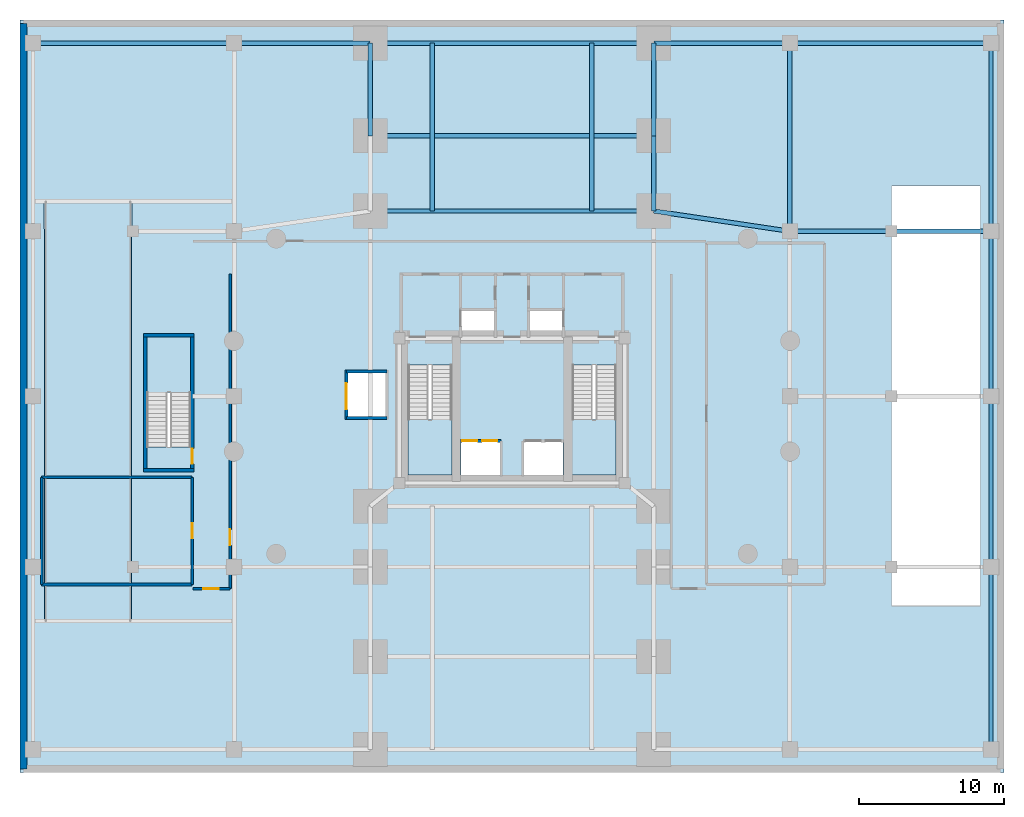
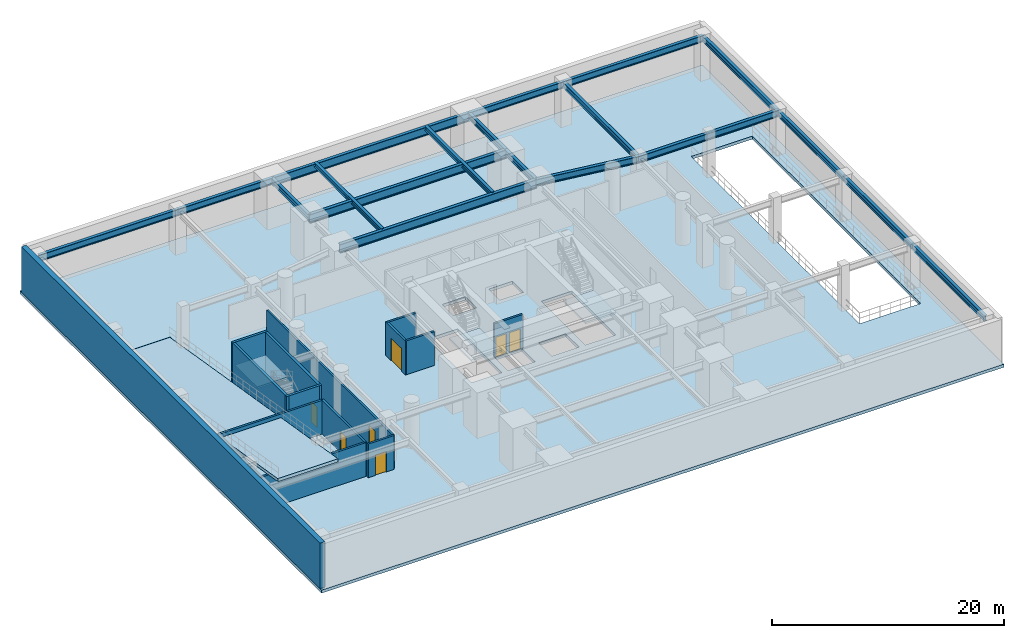
# One storey, part 2 of 7: 19 beams, 15 walls, 7 doors, 5 slabs, 7 openings, 3 elements without a shape of their own.
"""IFC4 building model written with IfcOpenShell, lengths in metres."""

from ifc_helpers import new_model, si_unit, direction, frame, frame_2d, origin, origin_2d, place, context, subcontext, project, spatial, polyline, rectangle, i_section, outline, extrude, material, layer, layer_set, material_profile, profile_set, type_object, element, fill, aggregate, save


model = new_model("IFC4")

# Units and contexts
model_context = context("Model", 3, precision=1e-05, world=origin(), true_north=direction((0.0, 1.0)))
body_context = subcontext(model_context, "Body", "Model", "MODEL_VIEW")
ifc_project = project(units=[si_unit("LENGTHUNIT", "METRE"), si_unit("AREAUNIT", "SQUARE_METRE"), si_unit("VOLUMEUNIT", "CUBIC_METRE"), si_unit("PLANEANGLEUNIT", "RADIAN"), si_unit("MASSUNIT", "GRAM", prefix="KILO"), si_unit("THERMODYNAMICTEMPERATUREUNIT", "KELVIN"), si_unit("POWERUNIT", "WATT")], contexts=[model_context])

# Site, building, storey
site_placement = place(None, origin())
site = spatial("IfcSite", under=ifc_project, at=site_placement, CompositionType="ELEMENT")
building_placement = place(site_placement, origin())
building = spatial("IfcBuilding", under=site, at=building_placement, Name="Ocrelia Relay Tower", CompositionType="ELEMENT")
storey_placement = place(building_placement, frame((0.0, 0.0, -4.800048828125)))
storey = spatial("IfcBuildingStorey", under=building, at=storey_placement, Name="B1", CompositionType="ELEMENT", Elevation=-4.800048828125)

# Beams
ifc_material_1 = material(Name="Steel S355", Category="steel")
ifc_material_profile_1 = material_profile(ifc_material_1, i_section(OverallWidth=0.300048828125, OverallDepth=0.5, WebThickness=0.014404296875, FlangeThickness=0.028076171875, FilletRadius=0.027099609375, at=origin_2d()), Name="HEB 500")
ifc_profile_set_1 = profile_set([ifc_material_profile_1], Name="Steel S355")
beam_type_1 = type_object("IfcBeamType", Name="BM-HEB500", PredefinedType="BEAM", material=ifc_profile_set_1)
for number, where, z_axis, x_axis, name in (
    (1, (28.5, 38.800048828125, 4.35009765625), (0.0, 1.0, 0.0), (-1.0, 0.0, 0.0), "B1 Portal Passage Paving Stringer NW"),
    (2, (39.5, 38.800048828125, 4.35009765625), (0.0, 1.0, 0.0), (-1.0, 0.0, 0.0), "B1 Portal Passage Paving Stringer NE"),
):
    element("IfcBeam", number, at=place(storey_placement, frame(where, z_axis=z_axis, x_axis=x_axis)), inside=storey, type_object=beam_type_1, Name=name, PredefinedType="BEAM", context=body_context, shape_type="SweptSolid", body=[
        extrude(i_section(OverallWidth=0.300048828125, OverallDepth=0.5, WebThickness=0.014404296875, FlangeThickness=0.028076171875, FilletRadius=0.027099609375, at=origin_2d()), origin(), (0.0, 0.0, 1.0), 11.599853515625),
    ])
ifc_material_profile_2 = material_profile(ifc_material_1, i_section(OverallWidth=0.300048828125, OverallDepth=0.60009765625, WebThickness=0.015380859375, FlangeThickness=0.030029296875, FilletRadius=0.027099609375, at=origin_2d()), Name="HEB 600")
ifc_profile_set_2 = profile_set([ifc_material_profile_2], Name="Steel S355")
beam_type_2 = type_object("IfcBeamType", Name="BM-HEB600", PredefinedType="BEAM", material=ifc_profile_set_2)
beam_1_placement = place(storey_placement, frame((53.199951171875, 37.39990234375, 4.179931640625), z_axis=(0.0, 1.0, 0.0), x_axis=(-1.0, 0.0, 0.0)))
element("IfcBeam", 3, at=beam_1_placement, inside=storey, type_object=beam_type_2, Name="B1 Podium Span Girder IE-4", PredefinedType="BEAM", context=body_context, shape_type="SweptSolid", body=[
    extrude(i_section(OverallWidth=0.300048828125, OverallDepth=0.60009765625, WebThickness=0.015380859375, FlangeThickness=0.030029296875, FilletRadius=0.027099609375, at=origin_2d()), origin(), (0.0, 0.0, 1.0), 13.0),
])
beam_2_placement = place(storey_placement, frame((67.10009765625, 1.60009765625, 4.179931640625), z_axis=(0.0, 1.0, 0.0), x_axis=(-1.0, 0.0, 0.0)))
element("IfcBeam", 4, at=beam_2_placement, inside=storey, type_object=beam_type_2, Name="B1 Podium Span Girder E-1", PredefinedType="BEAM", context=body_context, shape_type="SweptSolid", body=[
    extrude(i_section(OverallWidth=0.300048828125, OverallDepth=0.60009765625, WebThickness=0.015380859375, FlangeThickness=0.030029296875, FilletRadius=0.027099609375, at=origin_2d()), origin(), (0.0, 0.0, 1.0), 12.599853515625),
])
beam_3_placement = place(storey_placement, frame((67.10009765625, 14.199951171875, 4.179931640625), z_axis=(0.0, 1.0, 0.0), x_axis=(-1.0, 0.0, 0.0)))
element("IfcBeam", 5, at=beam_3_placement, inside=storey, type_object=beam_type_2, Name="B1 Podium Span Girder E-2", PredefinedType="BEAM", context=body_context, shape_type="SweptSolid", body=[
    extrude(i_section(OverallWidth=0.300048828125, OverallDepth=0.60009765625, WebThickness=0.015380859375, FlangeThickness=0.030029296875, FilletRadius=0.027099609375, at=origin_2d()), origin(), (0.0, 0.0, 1.0), 11.800048828125),
])
beam_4_placement = place(storey_placement, frame((67.10009765625, 26.0, 4.179931640625), z_axis=(0.0, 1.0, 0.0), x_axis=(-1.0, 0.0, 0.0)))
element("IfcBeam", 6, at=beam_4_placement, inside=storey, type_object=beam_type_2, Name="B1 Podium Span Girder E-3", PredefinedType="BEAM", context=body_context, shape_type="SweptSolid", body=[
    extrude(i_section(OverallWidth=0.300048828125, OverallDepth=0.60009765625, WebThickness=0.015380859375, FlangeThickness=0.030029296875, FilletRadius=0.027099609375, at=origin_2d()), origin(), (0.0, 0.0, 1.0), 11.39990234375),
])
beam_5_placement = place(storey_placement, frame((67.10009765625, 37.39990234375, 4.179931640625), z_axis=(0.0, 1.0, 0.0), x_axis=(-1.0, 0.0, 0.0)))
element("IfcBeam", 7, at=beam_5_placement, inside=storey, type_object=beam_type_2, Name="B1 Podium Span Girder E-4", PredefinedType="BEAM", context=body_context, shape_type="SweptSolid", body=[
    extrude(i_section(OverallWidth=0.300048828125, OverallDepth=0.60009765625, WebThickness=0.015380859375, FlangeThickness=0.030029296875, FilletRadius=0.027099609375, at=origin_2d()), origin(), (0.0, 0.0, 1.0), 13.0),
])
beam_6_placement = place(storey_placement, frame((24.199951171875, 44.0, 4.179931640625), z_axis=(0.0, 1.0, 0.0), x_axis=(-1.0, 0.0, 0.0)))
element("IfcBeam", 8, at=beam_6_placement, inside=storey, type_object=beam_type_2, Name="B1 Pier Line Tie Girder AW-5", PredefinedType="BEAM", context=body_context, shape_type="SweptSolid", body=[
    extrude(i_section(OverallWidth=0.300048828125, OverallDepth=0.60009765625, WebThickness=0.015380859375, FlangeThickness=0.030029296875, FilletRadius=0.027099609375, at=origin_2d()), origin(), (0.0, 0.0, 1.0), 6.39990234375),
])
beam_7_placement = place(storey_placement, frame((43.800048828125, 38.800048828125, 4.179931640625), z_axis=(0.0, 1.0, 0.0), x_axis=(-1.0, 0.0, 0.0)))
element("IfcBeam", 9, at=beam_7_placement, inside=storey, type_object=beam_type_2, Name="B1 Pier Line Tie Girder AE-4", PredefinedType="BEAM", context=body_context, shape_type="SweptSolid", body=[
    extrude(i_section(OverallWidth=0.300048828125, OverallDepth=0.60009765625, WebThickness=0.015380859375, FlangeThickness=0.030029296875, FilletRadius=0.027099609375, at=origin_2d()), origin(), (0.0, 0.0, 1.0), 5.199951171875),
])
beam_8_placement = place(storey_placement, frame((43.800048828125, 44.0, 4.179931640625), z_axis=(0.0, 1.0, 0.0), x_axis=(-1.0, 0.0, 0.0)))
element("IfcBeam", 10, at=beam_8_placement, inside=storey, type_object=beam_type_2, Name="B1 Pier Line Tie Girder AE-5", PredefinedType="BEAM", context=body_context, shape_type="SweptSolid", body=[
    extrude(i_section(OverallWidth=0.300048828125, OverallDepth=0.60009765625, WebThickness=0.015380859375, FlangeThickness=0.030029296875, FilletRadius=0.027099609375, at=origin_2d()), origin(), (0.0, 0.0, 1.0), 6.39990234375),
])
ifc_material_profile_3 = material_profile(ifc_material_1, i_section(OverallWidth=0.300048828125, OverallDepth=0.699951171875, WebThickness=0.01708984375, FlangeThickness=0.031982421875, FilletRadius=0.027099609375, at=origin_2d()), Name="HEB 700")
ifc_profile_set_3 = profile_set([ifc_material_profile_3], Name="Steel S355")
beam_type_3 = type_object("IfcBeamType", Name="BM-HEB700", PredefinedType="BEAM", material=ifc_profile_set_3)
beam_9_placement = place(storey_placement, frame((43.800048828125, 38.800048828125, 4.130126953125), z_axis=(0.989087708935, -0.14732787935, 0.0), x_axis=(0.14732787935, 0.989087708935, 0.0)))
element("IfcBeam", 11, at=beam_9_placement, inside=storey, type_object=beam_type_3, Name="B1 East Inner Podium Girder M2", PredefinedType="BEAM", context=body_context, shape_type="SweptSolid", body=[
    extrude(i_section(OverallWidth=0.300048828125, OverallDepth=0.699951171875, WebThickness=0.01708984375, FlangeThickness=0.031982421875, FilletRadius=0.027099609375, at=origin_2d()), origin(), (0.0, 0.0, 1.0), 9.503662109375),
])
for number, where, z_axis, x_axis, name in (
    (12, (53.199951171875, 37.39990234375, 4.130126953125), (1.0, 0.0, 0.0), (0.0, 1.0, 0.0), "B1 East Outer Podium Girder M2"),
    (13, (0.89990234375, 50.39990234375, 4.130126953125), (1.0, 0.0, 0.0), (0.0, 1.0, 0.0), "B1 West Outer Podium Girder N"),
):
    element("IfcBeam", number, at=place(storey_placement, frame(where, z_axis=z_axis, x_axis=x_axis)), inside=storey, type_object=beam_type_3, Name=name, PredefinedType="BEAM", context=body_context, shape_type="SweptSolid", body=[
        extrude(i_section(OverallWidth=0.300048828125, OverallDepth=0.699951171875, WebThickness=0.01708984375, FlangeThickness=0.031982421875, FilletRadius=0.027099609375, at=origin_2d()), origin(), (0.0, 0.0, 1.0), 13.900146484375),
    ])
for number, where, z_axis, x_axis, name in (
    (14, (14.800048828125, 50.39990234375, 4.130126953125), (1.0, 0.0, 0.0), (0.0, 1.0, 0.0), "B1 West Inner Podium Girder N"),
    (15, (43.800048828125, 50.39990234375, 4.130126953125), (1.0, 0.0, 0.0), (0.0, 1.0, 0.0), "B1 East Inner Podium Girder N"),
):
    element("IfcBeam", number, at=place(storey_placement, frame(where, z_axis=z_axis, x_axis=x_axis)), inside=storey, type_object=beam_type_3, Name=name, PredefinedType="BEAM", context=body_context, shape_type="SweptSolid", body=[
        extrude(i_section(OverallWidth=0.300048828125, OverallDepth=0.699951171875, WebThickness=0.01708984375, FlangeThickness=0.031982421875, FilletRadius=0.027099609375, at=origin_2d()), origin(), (0.0, 0.0, 1.0), 9.39990234375),
    ])
beam_10_placement = place(storey_placement, frame((53.199951171875, 50.39990234375, 4.130126953125), z_axis=(1.0, 0.0, 0.0), x_axis=(0.0, 1.0, 0.0)))
element("IfcBeam", 16, at=beam_10_placement, inside=storey, type_object=beam_type_3, Name="B1 East Outer Podium Girder N", PredefinedType="BEAM", context=body_context, shape_type="SweptSolid", body=[
    extrude(i_section(OverallWidth=0.300048828125, OverallDepth=0.699951171875, WebThickness=0.01708984375, FlangeThickness=0.031982421875, FilletRadius=0.027099609375, at=origin_2d()), origin(), (0.0, 0.0, 1.0), 13.900146484375),
])
ifc_material_profile_4 = material_profile(ifc_material_1, i_section(OverallWidth=0.300048828125, OverallDepth=0.89990234375, WebThickness=0.0185546875, FlangeThickness=0.034912109375, FilletRadius=0.030029296875, at=origin_2d()), Name="HEB 900")
ifc_profile_set_4 = profile_set([ifc_material_profile_4], Name="Steel S355")
beam_type_4 = type_object("IfcBeamType", Name="BM-HEB900", PredefinedType="BEAM", material=ifc_profile_set_4)
for number, where, z_axis, x_axis, name in (
    (17, (24.199951171875, 38.800048828125, 4.030029296875), (1.0, 0.0, 0.0), (0.0, 1.0, 0.0), "B1 Portal Arch Span Transfer Girder G5"),
    (18, (24.199951171875, 44.0, 4.030029296875), (1.0, 0.0, 0.0), (0.0, 1.0, 0.0), "B1 Portal Arch Span Transfer Girder G6"),
    (19, (24.199951171875, 50.39990234375, 4.030029296875), (1.0, 0.0, 0.0), (0.0, 1.0, 0.0), "B1 Portal Arch Span Transfer Girder G7"),
):
    element("IfcBeam", number, at=place(storey_placement, frame(where, z_axis=z_axis, x_axis=x_axis)), inside=storey, type_object=beam_type_4, Name=name, PredefinedType="BEAM", context=body_context, shape_type="SweptSolid", body=[
        extrude(i_section(OverallWidth=0.300048828125, OverallDepth=0.89990234375, WebThickness=0.0185546875, FlangeThickness=0.034912109375, FilletRadius=0.030029296875, at=origin_2d()), origin(), (0.0, 0.0, 1.0), 19.60009765625),
    ])

# Slab
ifc_material_2 = material(Name="Concrete C50/60", Category="concrete")
ifc_layer_1 = layer(ifc_material_2, 0.320068359375, Name="Concrete C50/60")
ifc_layer_set_1 = layer_set([ifc_layer_1], Name="Concrete C50/60")
slab_type_1 = type_object("IfcSlabType", Name="SL-FLR-320", PredefinedType="FLOOR", material=ifc_layer_set_1)
slab_1_placement = place(storey_placement, frame((0.0, 0.0, -0.320068359375)))
element("IfcSlab", 20, at=slab_1_placement, inside=storey, type_object=slab_type_1, Name="B1 Podium Structural Slab", PredefinedType="FLOOR", context=body_context, shape_type="SweptSolid", body=[
    extrude(outline(polyline([(0.0, 0.0), (68.0, 0.0), (68.0, 52.0), (0.0, 52.0), (0.0, 0.0)]), holes=[polyline([(26.81005859375, 28.14990234375), (26.81005859375, 20.550048828125), (29.85009765625, 20.550048828125), (29.85009765625, 28.14990234375), (26.81005859375, 28.14990234375)]), polyline([(38.159912109375, 28.14990234375), (38.159912109375, 20.550048828125), (41.199951171875, 20.550048828125), (41.199951171875, 28.14990234375), (38.159912109375, 28.14990234375)]), polyline([(11.800048828125, 22.5), (11.800048828125, 30.10009765625), (8.760009765625, 30.10009765625), (8.760009765625, 22.5), (11.800048828125, 22.5)]), polyline([(30.4599609375, 20.550048828125), (33.159912109375, 20.550048828125), (33.159912109375, 22.85009765625), (30.4599609375, 22.85009765625), (30.4599609375, 20.550048828125)]), polyline([(34.840087890625, 20.550048828125), (37.5400390625, 20.550048828125), (37.5400390625, 22.85009765625), (34.840087890625, 22.85009765625), (34.840087890625, 20.550048828125)]), polyline([(30.5, 30.10009765625), (32.85009765625, 30.10009765625), (32.85009765625, 32.0), (30.5, 32.0), (30.5, 30.10009765625)]), polyline([(35.14990234375, 30.10009765625), (37.5, 30.10009765625), (37.5, 32.0), (35.14990234375, 32.0), (35.14990234375, 30.10009765625)]), polyline([(22.550048828125, 24.5), (25.35009765625, 24.5), (25.35009765625, 27.699951171875), (22.550048828125, 27.699951171875), (22.550048828125, 24.5)]), polyline([(60.25, 11.5), (66.35009765625, 11.5), (66.35009765625, 40.550048828125), (60.25, 40.550048828125), (60.25, 11.5)]), polyline([(1.659912109375, 37.550048828125), (7.739990234375, 37.550048828125), (7.739990234375, 39.5), (1.659912109375, 39.5), (1.659912109375, 37.550048828125)])]), origin(), (0.0, 0.0, 1.0), 0.320068359375),
])

# Stair, slab
stair_type = type_object("IfcStairType", Name="ST-DL-1420-R171", PredefinedType="HALF_TURN_STAIR", material=ifc_material_2)
stair_1_placement = place(storey_placement, origin())
stair_1 = element("IfcStair", 21, at=stair_1_placement, inside=storey, type_object=stair_type, Name="B1 West Core Exit Stair ST1", PredefinedType="HALF_TURN_STAIR")
ifc_layer_2 = layer(ifc_material_2, 0.199951171875, Name="Concrete C50/60")
ifc_layer_set_2 = layer_set([ifc_layer_2], Name="Concrete C50/60")
slab_type_2 = type_object("IfcSlabType", Name="SL-LANDING-200", PredefinedType="LANDING", material=ifc_layer_set_2)
slab_2_placement = place(storey_placement, frame((0.0, 0.0, 2.199951171875)))
slab_2 = element("IfcSlab", 22, at=slab_2_placement, type_object=slab_type_2, Name="ST1 landing 1", PredefinedType="LANDING", context=body_context, shape_type="SweptSolid", body=[
    extrude(outline(polyline([(26.81005859375, 24.3798828125), (26.81005859375, 20.550048828125), (29.85009765625, 20.550048828125), (29.85009765625, 24.3798828125), (26.81005859375, 24.3798828125)])), origin(), (0.0, 0.0, 1.0), 0.2001953125),
])
aggregate(stair_1, [slab_2])

stair_2_placement = place(storey_placement, origin())
stair_2 = element("IfcStair", 23, at=stair_2_placement, inside=storey, type_object=stair_type, Name="B1 East Core Exit Stair ST2", PredefinedType="HALF_TURN_STAIR")
slab_3_placement = place(storey_placement, frame((0.0, 0.0, 2.199951171875)))
slab_3 = element("IfcSlab", 24, at=slab_3_placement, type_object=slab_type_2, Name="ST2 landing 1", PredefinedType="LANDING", context=body_context, shape_type="SweptSolid", body=[
    extrude(outline(polyline([(38.159912109375, 24.3798828125), (38.159912109375, 20.550048828125), (41.199951171875, 20.550048828125), (41.199951171875, 24.3798828125), (38.159912109375, 24.3798828125)])), origin(), (0.0, 0.0, 1.0), 0.2001953125),
])
aggregate(stair_2, [slab_3])

stair_3_placement = place(storey_placement, origin())
stair_3 = element("IfcStair", 25, at=stair_3_placement, inside=storey, type_object=stair_type, Name="B1 Podium West Exit Stair ST3", PredefinedType="HALF_TURN_STAIR")
slab_4_placement = place(storey_placement, frame((0.0, 0.0, 2.199951171875)))
slab_4 = element("IfcSlab", 26, at=slab_4_placement, type_object=slab_type_2, Name="ST3 landing 1", PredefinedType="LANDING", context=body_context, shape_type="SweptSolid", body=[
    extrude(outline(polyline([(11.800048828125, 26.27001953125), (11.800048828125, 30.10009765625), (8.760009765625, 30.10009765625), (8.760009765625, 26.27001953125), (11.800048828125, 26.27001953125)])), origin(), (0.0, 0.0, 1.0), 0.2001953125),
])
aggregate(stair_3, [slab_4])

# Slab
ifc_layer_3 = layer(ifc_material_2, 0.300048828125, Name="Concrete C50/60")
ifc_layer_set_3 = layer_set([ifc_layer_3], Name="Concrete C50/60")
slab_type_3 = type_object("IfcSlabType", Name="SL-VRAMP-300", PredefinedType="FLOOR", material=ifc_layer_set_3)
slab_5_placement = place(storey_placement, frame((1.699951171875, 39.469970703125, 0.0), z_axis=(0.0, 0.163297153073, 0.986576930502), x_axis=(1.0, 0.0, 0.0)))
element("IfcSlab", 27, at=slab_5_placement, inside=storey, type_object=slab_type_3, Name="B1 to L00 Two-Way Structural Vehicle Ramp Slab", PredefinedType="FLOOR", context=body_context, shape_type="SweptSolid", body=[
    extrude(outline(polyline([(0.0, 0.0), (6.0, 0.0), (6.0, -29.39456529279493), (0.0, -29.39456529279493), (0.0, 0.0)])), origin(), (0.0, 0.0, -1.0), 0.300048828125),
])

# Walls
ifc_layer_4 = layer(ifc_material_2, 0.239990234375, Name="Concrete C50/60")
ifc_layer_set_4 = layer_set([ifc_layer_4], Name="Concrete C50/60")
wall_type_1 = type_object("IfcWallType", Name="CW-STAIR-240", PredefinedType="SHEAR", material=ifc_layer_set_4)
for number, where, z_axis, x_axis, name in (
    (28, (8.531982421875, 20.89208984375, 0.0), (0.0, 0.0, 1.0), (1.0, 0.0, 0.0), "B1 Stair ST3 Structural Shaft S Wall"),
    (29, (8.531982421875, 30.2080078125, 0.0), (0.0, 0.0, 1.0), (1.0, 0.0, 0.0), "B1 Stair ST3 Structural Shaft N Wall"),
):
    element("IfcWall", number, at=place(storey_placement, frame(where, z_axis=z_axis, x_axis=x_axis)), inside=storey, type_object=wall_type_1, Name=name, PredefinedType="SHEAR", context=body_context, shape_type="SweptSolid", body=[
        extrude(rectangle(XDim=3.49609375, YDim=0.239990234375, at=frame_2d((1.748046875, 0.0))), origin(), (0.0, 0.0, 1.0), 4.800048828125),
    ])
wall_1_placement = place(storey_placement, frame((8.652099609375, 20.77197265625, 0.0), z_axis=(0.0, 0.0, 1.0), x_axis=(0.0, 1.0, 0.0)))
element("IfcWall", 30, at=wall_1_placement, inside=storey, type_object=wall_type_1, Name="B1 Stair ST3 Structural Shaft W Wall", PredefinedType="SHEAR", context=body_context, shape_type="SweptSolid", body=[
    extrude(rectangle(XDim=9.555908203125, YDim=0.239990234375, at=frame_2d((4.77783203125, 0.0))), origin(), (0.0, 0.0, 1.0), 4.800048828125),
])

# Wall, opening, door
wall_2_placement = place(storey_placement, frame((11.907958984375, 20.77197265625, 0.0), z_axis=(0.0, 0.0, 1.0), x_axis=(0.0, 1.0, 0.0)))
wall_2 = element("IfcWall", 31, at=wall_2_placement, inside=storey, type_object=wall_type_1, Name="B1 Stair ST3 Structural Shaft E Wall", PredefinedType="SHEAR", context=body_context, shape_type="SweptSolid", body=[
    extrude(rectangle(XDim=9.555908203125, YDim=0.239990234375, at=frame_2d((4.77783203125, 0.0))), origin(), (0.0, 0.0, 1.0), 4.800048828125),
])
opening_1_placement = place(wall_2_placement, frame((0.550048828125, 0.0, 0.0)))
opening_1 = element("IfcOpeningElement", 32, at=opening_1_placement, cuts=wall_2, Name="Opening D-FD90", PredefinedType="OPENING", context=body_context, shape_type="SweptSolid", body=[
    extrude(rectangle(XDim=1.050048828125, YDim=2.14990234375, at=frame_2d((0.52490234375, 1.074951171875))), frame((0.0, 0.1298828125, 0.0), z_axis=(0.0, -1.0, 0.0), x_axis=(1.0, 0.0, 0.0)), (0.0, 0.0, 1.0), 0.260009765625),
])
ifc_material_3 = material(Name="Steel S355 90-min fire door", Category="steel")
door_type_1 = type_object("IfcDoorType", Name="DR-STAIR-FD90-1050", OperationType="NOTDEFINED", PredefinedType="DOOR", material=ifc_material_3)
door_1_placement = place(opening_1_placement, origin())
door_1 = element("IfcDoor", 33, at=door_1_placement, inside=storey, type_object=door_type_1, Name="B1 Stair ST3 Fire Door", OperationType="SINGLE_SWING_LEFT", OverallHeight=2.14990234375, OverallWidth=1.050048828125, PredefinedType="DOOR", context=body_context, shape_type="SweptSolid", body=[
    extrude(rectangle(XDim=1.050048828125, YDim=2.14990234375, at=frame_2d((0.52490234375, 1.074951171875))), frame((0.0, 0.02490234375, 0.0), z_axis=(0.0, -1.0, 0.0), x_axis=(1.0, 0.0, 0.0)), (0.0, 0.0, 1.0), 0.050048828125),
])
fill(opening_1, door_1)

ifc_material_4 = material(Name="Gypsum Fireboard Partition EI60", Category="gypsum")
ifc_layer_5 = layer(ifc_material_4, 0.179931640625, Name="Gypsum Fireboard Partition EI60")
ifc_layer_set_5 = layer_set([ifc_layer_5], Name="Gypsum Fireboard Partition EI60")
wall_type_2 = type_object("IfcWallType", Name="W-CORR-EI60-180", PredefinedType="PARTITIONING", material=ifc_layer_set_5)
wall_3_placement = place(storey_placement, frame((14.52001953125, 12.699951171875, 0.0), z_axis=(0.0, 0.0, 1.0), x_axis=(0.0, 1.0, 0.0)))
wall_3 = element("IfcWall", 34, at=wall_3_placement, inside=storey, type_object=wall_type_2, Name="B1 Basement Corridor West Inner Wall", PredefinedType="PARTITIONING", context=body_context, shape_type="SweptSolid", body=[
    extrude(rectangle(XDim=21.72998046875, YDim=0.179931640625, at=frame_2d((10.864990234375, 0.0))), origin(), (0.0, 0.0, 1.0), 3.56005859375),
])
opening_2_placement = place(wall_3_placement, frame((3.0, 0.0, 0.0)))
opening_2 = element("IfcOpeningElement", 35, at=opening_2_placement, cuts=wall_3, Name="Opening D-FD60", PredefinedType="OPENING", context=body_context, shape_type="SweptSolid", body=[
    extrude(rectangle(XDim=1.10009765625, YDim=2.14990234375, at=frame_2d((0.550048828125, 1.074951171875))), frame((0.0, 0.10009765625, 0.0), z_axis=(0.0, -1.0, 0.0), x_axis=(1.0, 0.0, 0.0)), (0.0, 0.0, 1.0), 0.199951171875),
])
ifc_material_5 = material(Name="Timber-core 60-min acoustic fire door", Category="wood")
door_type_2 = type_object("IfcDoorType", Name="DR-LOBBY-FD60-1100", OperationType="NOTDEFINED", PredefinedType="DOOR", material=ifc_material_5)
door_2_placement = place(opening_2_placement, origin())
door_2 = element("IfcDoor", 36, at=door_2_placement, inside=storey, type_object=door_type_2, Name="B1 Car Park South Vestibule Fire Door", OperationType="SINGLE_SWING_LEFT", OverallHeight=2.14990234375, OverallWidth=1.10009765625, PredefinedType="DOOR", context=body_context, shape_type="SweptSolid", body=[
    extrude(rectangle(XDim=1.10009765625, YDim=2.14990234375, at=frame_2d((0.550048828125, 1.074951171875))), frame((0.0, 0.02490234375, 0.0), z_axis=(0.0, -1.0, 0.0), x_axis=(1.0, 0.0, 0.0)), (0.0, 0.0, 1.0), 0.050048828125),
])
fill(opening_2, door_2)

wall_4_placement = place(storey_placement, frame((11.949951171875, 12.699951171875, 0.0), z_axis=(0.0, 0.0, 1.0), x_axis=(1.0, 0.0, 0.0)))
wall_4 = element("IfcWall", 37, at=wall_4_placement, inside=storey, type_object=wall_type_2, Name="B1 Basement Corridor West Loop End Wall", PredefinedType="PARTITIONING", context=body_context, shape_type="SweptSolid", body=[
    extrude(rectangle(XDim=2.570068359375, YDim=0.179931640625, at=frame_2d((1.28515625, 0.0))), origin(), (0.0, 0.0, 1.0), 3.56005859375),
])
opening_3_placement = place(wall_4_placement, frame((0.699951171875, 0.0, 0.0)))
opening_3 = element("IfcOpeningElement", 38, at=opening_3_placement, cuts=wall_4, Name="Opening D-FD60", PredefinedType="OPENING", context=body_context, shape_type="SweptSolid", body=[
    extrude(rectangle(XDim=1.10009765625, YDim=2.14990234375, at=frame_2d((0.550048828125, 1.074951171875))), frame((0.0, 0.10009765625, 0.0), z_axis=(0.0, -1.0, 0.0), x_axis=(1.0, 0.0, 0.0)), (0.0, 0.0, 1.0), 0.199951171875),
])
door_3_placement = place(opening_3_placement, origin())
door_3 = element("IfcDoor", 39, at=door_3_placement, inside=storey, type_object=door_type_2, Name="B1 Car Park West Loop Fire Door", OperationType="SINGLE_SWING_RIGHT", OverallHeight=2.14990234375, OverallWidth=1.10009765625, PredefinedType="DOOR", context=body_context, shape_type="SweptSolid", body=[
    extrude(rectangle(XDim=1.10009765625, YDim=2.14990234375, at=frame_2d((0.550048828125, 1.074951171875))), frame((0.0, 0.02490234375, 0.0), z_axis=(0.0, -1.0, 0.0), x_axis=(1.0, 0.0, 0.0)), (0.0, 0.0, 1.0), 0.050048828125),
])
fill(opening_3, door_3)

# Wall
ifc_layer_6 = layer(ifc_material_2, 0.5, Name="Concrete C50/60")
ifc_layer_set_6 = layer_set([ifc_layer_6], Name="Concrete C50/60")
wall_type_3 = type_object("IfcWallType", Name="W-RET-500", PredefinedType="SOLIDWALL", material=ifc_layer_set_6)
wall_5_placement = place(storey_placement, frame((0.25, 51.75, 0.0), z_axis=(0.0, 0.0, 1.0), x_axis=(0.0, -1.0, 0.0)))
element("IfcWall", 40, at=wall_5_placement, inside=storey, type_object=wall_type_3, Name="B1 Perimeter Retaining Wall W", PredefinedType="SOLIDWALL", context=body_context, shape_type="SweptSolid", body=[
    extrude(rectangle(XDim=51.5, YDim=0.5, at=frame_2d((25.75, 0.0))), origin(), (0.0, 0.0, 1.0), 4.800048828125),
])

# Wall, openings, doors
ifc_layer_7 = layer(ifc_material_2, 0.199951171875, Name="Concrete C50/60")
ifc_layer_set_7 = layer_set([ifc_layer_7], Name="Concrete C50/60")
wall_type_4 = type_object("IfcWallType", Name="W-SHAFT-EI120-200", PredefinedType="SOLIDWALL", material=ifc_layer_set_7)
wall_6_placement = place(storey_placement, frame((30.43994140625, 22.919921875, 0.0), z_axis=(0.0, 0.0, 1.0), x_axis=(1.0, 0.0, 0.0)))
wall_6 = element("IfcWall", 41, at=wall_6_placement, inside=storey, type_object=wall_type_4, Name="B1 Low-Rise Lift Hoistway Wall W", PredefinedType="SOLIDWALL", context=body_context, shape_type="SweptSolid", body=[
    extrude(rectangle(XDim=2.81005859375, YDim=0.199951171875, at=frame_2d((1.405029296875, 0.0))), origin(), (0.0, 0.0, 1.0), 3.56005859375),
])
opening_4_placement = place(wall_6_placement, frame((0.1201171875, 0.0, 0.0)))
opening_4 = element("IfcOpeningElement", 42, at=opening_4_placement, cuts=wall_6, Name="Opening LD-PL1", PredefinedType="OPENING", context=body_context, shape_type="SweptSolid", body=[
    extrude(rectangle(XDim=1.050048828125, YDim=2.10009765625, at=frame_2d((0.52490234375, 1.050048828125))), frame((0.0, 0.10986328125, 0.0), z_axis=(0.0, -1.0, 0.0), x_axis=(1.0, 0.0, 0.0)), (0.0, 0.0, 1.0), 0.219970703125),
])
opening_5_placement = place(wall_6_placement, frame((1.5, 0.0, 0.0)))
opening_5 = element("IfcOpeningElement", 43, at=opening_5_placement, cuts=wall_6, Name="Opening LD-PL2", PredefinedType="OPENING", context=body_context, shape_type="SweptSolid", body=[
    extrude(rectangle(XDim=1.050048828125, YDim=2.10009765625, at=frame_2d((0.52490234375, 1.050048828125))), frame((0.0, 0.10986328125, 0.0), z_axis=(0.0, -1.0, 0.0), x_axis=(1.0, 0.0, 0.0)), (0.0, 0.0, 1.0), 0.219970703125),
])
ifc_material_6 = material(Name="Brushed stainless steel S355 lift landing door", Category="steel")
door_type_3 = type_object("IfcDoorType", Name="DR-LIFT-LAND-1050", OperationType="DOUBLE_DOOR_SLIDING", PredefinedType="USERDEFINED", material=ifc_material_6)
door_4_placement = place(opening_4_placement, origin())
door_4 = element("IfcDoor", 44, at=door_4_placement, inside=storey, type_object=door_type_3, Name="B1 Passenger Lift PL1 Sliding Landing Door", ObjectType="LANDING DOOR", OperationType="DOUBLE_DOOR_SLIDING", OverallHeight=2.10009765625, OverallWidth=1.050048828125, PredefinedType="USERDEFINED", context=body_context, shape_type="SweptSolid", body=[
    extrude(rectangle(XDim=1.050048828125, YDim=2.10009765625, at=frame_2d((0.52490234375, 1.050048828125))), frame((0.0, 0.02490234375, 0.0), z_axis=(0.0, -1.0, 0.0), x_axis=(1.0, 0.0, 0.0)), (0.0, 0.0, 1.0), 0.050048828125),
])
fill(opening_4, door_4)
door_5_placement = place(opening_5_placement, origin())
door_5 = element("IfcDoor", 45, at=door_5_placement, inside=storey, type_object=door_type_3, Name="B1 Passenger Lift PL2 Sliding Landing Door", ObjectType="LANDING DOOR", OperationType="DOUBLE_DOOR_SLIDING", OverallHeight=2.10009765625, OverallWidth=1.050048828125, PredefinedType="USERDEFINED", context=body_context, shape_type="SweptSolid", body=[
    extrude(rectangle(XDim=1.050048828125, YDim=2.10009765625, at=frame_2d((0.52490234375, 1.050048828125))), frame((0.0, 0.02490234375, 0.0), z_axis=(0.0, -1.0, 0.0), x_axis=(1.0, 0.0, 0.0)), (0.0, 0.0, 1.0), 0.050048828125),
])
fill(opening_5, door_5)

# Wall, opening, door
wall_7_placement = place(storey_placement, frame((22.550048828125, 24.39990234375, 0.0), z_axis=(0.0, 0.0, 1.0), x_axis=(0.0, 1.0, 0.0)))
wall_7 = element("IfcWall", 46, at=wall_7_placement, inside=storey, type_object=wall_type_4, Name="B1 Goods Lift Shaft West Wall", PredefinedType="SOLIDWALL", context=body_context, shape_type="SweptSolid", body=[
    extrude(rectangle(XDim=3.400146484375, YDim=0.199951171875, at=frame_2d((1.7001953125, 0.0))), origin(), (0.0, 0.0, 1.0), 3.56005859375),
])
opening_6_placement = place(wall_7_placement, frame((0.699951171875, 0.0, 0.0)))
opening_6 = element("IfcOpeningElement", 47, at=opening_6_placement, cuts=wall_7, Name="Opening LD-GL1", PredefinedType="OPENING", context=body_context, shape_type="SweptSolid", body=[
    extrude(rectangle(XDim=1.800048828125, YDim=2.39990234375, at=frame_2d((0.89990234375, 1.199951171875))), frame((0.0, 0.10986328125, 0.0), z_axis=(0.0, -1.0, 0.0), x_axis=(1.0, 0.0, 0.0)), (0.0, 0.0, 1.0), 0.219970703125),
])
ifc_material_7 = material(Name="Heavy-duty stainless steel S355 goods landing door", Category="steel")
door_type_4 = type_object("IfcDoorType", Name="DR-GOODS-LAND-1800", OperationType="DOUBLE_DOOR_SLIDING", PredefinedType="USERDEFINED", material=ifc_material_7)
door_6_placement = place(opening_6_placement, origin())
door_6 = element("IfcDoor", 48, at=door_6_placement, inside=storey, type_object=door_type_4, Name="B1 Goods Lift GL1 Sliding Landing Door", ObjectType="LANDING DOOR", OperationType="DOUBLE_DOOR_SLIDING", OverallHeight=2.39990234375, OverallWidth=1.800048828125, PredefinedType="USERDEFINED", context=body_context, shape_type="SweptSolid", body=[
    extrude(rectangle(XDim=1.800048828125, YDim=2.39990234375, at=frame_2d((0.89990234375, 1.199951171875))), frame((0.0, 0.02490234375, 0.0), z_axis=(0.0, -1.0, 0.0), x_axis=(1.0, 0.0, 0.0)), (0.0, 0.0, 1.0), 0.050048828125),
])
fill(opening_6, door_6)

# Walls
for number, where, z_axis, x_axis, name in (
    (49, (22.550048828125, 24.5, 0.0), (0.0, 0.0, 1.0), (1.0, 0.0, 0.0), "B1 Goods Lift Shaft S Wall"),
    (50, (22.550048828125, 27.699951171875, 0.0), (0.0, 0.0, 1.0), (1.0, 0.0, 0.0), "B1 Goods Lift Shaft N Wall"),
):
    element("IfcWall", number, at=place(storey_placement, frame(where, z_axis=z_axis, x_axis=x_axis)), inside=storey, type_object=wall_type_4, Name=name, PredefinedType="SOLIDWALL", context=body_context, shape_type="SweptSolid", body=[
        extrude(rectangle(XDim=2.800048828125, YDim=0.199951171875, at=frame_2d((1.39990234375, 0.0))), origin(), (0.0, 0.0, 1.0), 3.56005859375),
    ])

# Wall, opening, door
wall_8_placement = place(storey_placement, frame((11.89990234375, 13.0, 0.0), z_axis=(0.0, 0.0, 1.0), x_axis=(0.0, 1.0, 0.0)))
wall_8 = element("IfcWall", 51, at=wall_8_placement, inside=storey, type_object=wall_type_4, Name="B1 Standby Generator Plant Room E Partition", PredefinedType="SOLIDWALL", context=body_context, shape_type="SweptSolid", body=[
    extrude(rectangle(XDim=7.39990234375, YDim=0.199951171875, at=frame_2d((3.699951171875, 0.0))), origin(), (0.0, 0.0, 1.0), 3.56005859375),
])
opening_7_placement = place(wall_8_placement, frame((3.175048828125, 0.0, 0.0)))
opening_7 = element("IfcOpeningElement", 52, at=opening_7_placement, cuts=wall_8, Name="Opening D-FD90", PredefinedType="OPENING", context=body_context, shape_type="SweptSolid", body=[
    extrude(rectangle(XDim=1.050048828125, YDim=2.14990234375, at=frame_2d((0.52490234375, 1.074951171875))), frame((0.0, 0.10986328125, 0.0), z_axis=(0.0, -1.0, 0.0), x_axis=(1.0, 0.0, 0.0)), (0.0, 0.0, 1.0), 0.219970703125),
])
door_7_placement = place(opening_7_placement, origin())
door_7 = element("IfcDoor", 53, at=door_7_placement, inside=storey, type_object=door_type_1, Name="B1 Standby Generator Plant Room Door", OperationType="SINGLE_SWING_RIGHT", OverallHeight=2.14990234375, OverallWidth=1.050048828125, PredefinedType="DOOR", context=body_context, shape_type="SweptSolid", body=[
    extrude(rectangle(XDim=1.050048828125, YDim=2.14990234375, at=frame_2d((0.52490234375, 1.074951171875))), frame((0.0, 0.02490234375, 0.0), z_axis=(0.0, -1.0, 0.0), x_axis=(1.0, 0.0, 0.0)), (0.0, 0.0, 1.0), 0.050048828125),
])
fill(opening_7, door_7)

# Walls
for number, where, z_axis, x_axis, name in (
    (54, (1.5, 13.0, 0.0), (0.0, 0.0, 1.0), (1.0, 0.0, 0.0), "B1 Standby Generator Plant Room S Partition"),
    (55, (11.89990234375, 20.39990234375, 0.0), (0.0, 0.0, 1.0), (-1.0, 0.0, 0.0), "B1 Standby Generator Plant Room N Partition"),
):
    element("IfcWall", number, at=place(storey_placement, frame(where, z_axis=z_axis, x_axis=x_axis)), inside=storey, type_object=wall_type_4, Name=name, PredefinedType="SOLIDWALL", context=body_context, shape_type="SweptSolid", body=[
        extrude(rectangle(XDim=10.39990234375, YDim=0.199951171875, at=frame_2d((5.199951171875, 0.0))), origin(), (0.0, 0.0, 1.0), 3.56005859375),
    ])
wall_9_placement = place(storey_placement, frame((1.5, 20.39990234375, 0.0), z_axis=(0.0, 0.0, 1.0), x_axis=(0.0, -1.0, 0.0)))
element("IfcWall", 56, at=wall_9_placement, inside=storey, type_object=wall_type_4, Name="B1 Standby Generator Plant Room W Partition", PredefinedType="SOLIDWALL", context=body_context, shape_type="SweptSolid", body=[
    extrude(rectangle(XDim=7.39990234375, YDim=0.199951171875, at=frame_2d((3.699951171875, 0.0))), origin(), (0.0, 0.0, 1.0), 3.56005859375),
])

save(model, "model.ifc")
